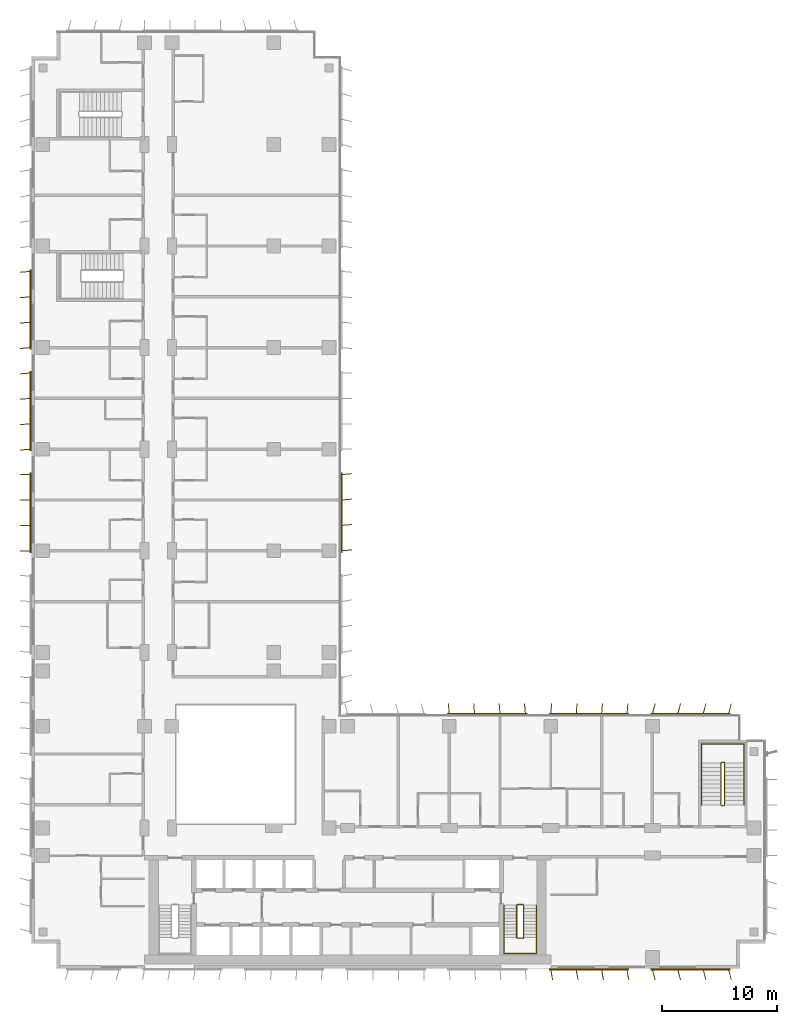
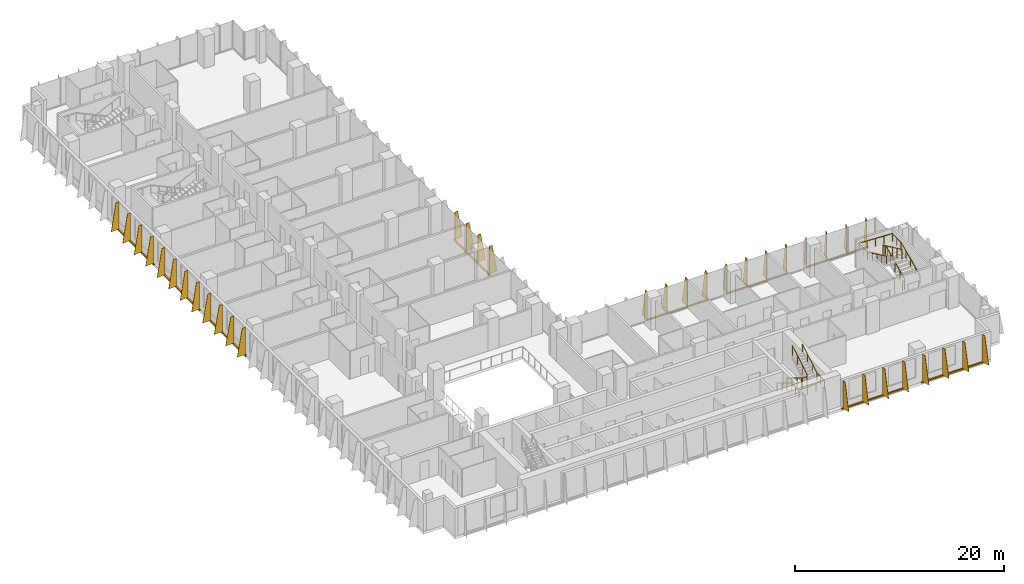
# One storey, part 20 of 22: 9 shading devices, 4 railings.
"""IFC4 building model written with IfcOpenShell, lengths in metres."""

from ifc_helpers import new_model, si_unit, direction, frame, origin, origin_2d, place, context, subcontext, project, spatial, polyline, rectangle, circle, outline, extrude, source, transform, mapped, material, layer, layer_set, type_object, element, save


model = new_model("IFC4")

# Units and contexts
model_context = context("Model", 3, precision=1e-05, world=origin(), true_north=direction((0.0, 1.0)))
body_context = subcontext(model_context, "Body", "Model", "MODEL_VIEW")
ifc_project = project(units=[si_unit("LENGTHUNIT", "METRE"), si_unit("AREAUNIT", "SQUARE_METRE"), si_unit("VOLUMEUNIT", "CUBIC_METRE"), si_unit("PLANEANGLEUNIT", "RADIAN"), si_unit("MASSUNIT", "GRAM", prefix="KILO")], contexts=[model_context])

# Site, building, storey
site_placement = place(None, origin())
site = spatial("IfcSite", under=ifc_project, at=site_placement, CompositionType="ELEMENT")
building_placement = place(site_placement, origin())
building = spatial("IfcBuilding", under=site, at=building_placement, Name="Kemantara Hotel Tower", CompositionType="ELEMENT")
storey_placement = place(building_placement, frame((0.0, 0.0, 129.60009765625)))
storey = spatial("IfcBuildingStorey", under=building, at=storey_placement, Name="L31", CompositionType="ELEMENT", Elevation=129.60009765625)

# Railings
ifc_material_1 = material(Name="Stainless steel balustrade", Category="steel")
railing_type_1 = type_object("IfcRailingType", Name="Stair guard 1100 mm", PredefinedType="GUARDRAIL", material=ifc_material_1)
railing_1_placement = place(storey_placement, frame((42.64990234375, 5.5, 3.699951171875)))
element("IfcRailing", 1, at=railing_1_placement, inside=storey, type_object=railing_type_1, Name="L31 ST2 stair guard 1", PredefinedType="GUARDRAIL", context=body_context, shape_type="SweptSolid", body=[
    extrude(circle(Radius=0.02392578125, at=origin_2d()), frame((0.0, 0.0, 1.076171875), z_axis=(0.0, -0.857242210791, -0.514913383045), x_axis=(1.0, 0.0, 0.0)), (0.0, 0.0, 1.0), 3.266357421875),
    extrude(circle(Radius=0.02392578125, at=origin_2d()), frame((0.0, -2.800048828125, -0.60595703125), z_axis=(-0.273006030465, -0.27434429532, -0.922064485248), x_axis=(0.708833529934, -0.705375805398, 0.0)), (0.0, 0.0, 1.0), 0.182373046875),
    extrude(circle(Radius=0.02392578125, at=origin_2d()), frame((-0.0498046875, -2.85009765625, -0.77392578125), z_axis=(-1.0, 0.0, 0.0), x_axis=(0.0, -1.0, 0.0)), (0.0, 0.0, 1.0), 0.5),
    extrude(circle(Radius=0.02392578125, at=origin_2d()), frame((-0.5498046875, -2.85009765625, -0.77392578125), z_axis=(-0.707106781187, 0.707106781187, 0.0), x_axis=(-0.707106781187, -0.707106781187, 0.0)), (0.0, 0.0, 1.0), 0.07080078125),
    extrude(circle(Radius=0.02392578125, at=origin_2d()), frame((-0.599853515625, -2.800048828125, -0.77392578125), z_axis=(0.0, 0.857242210791, -0.514913383045), x_axis=(-1.0, 0.0, 0.0)), (0.0, 0.0, 1.0), 3.266357421875),
    extrude(circle(Radius=0.02392578125, at=origin_2d()), frame((-0.599853515625, 0.0, -2.4560546875), z_axis=(0.274582412415, 0.274582412415, -0.921525364591), x_axis=(-0.707106781187, 0.707106781187, 0.0)), (0.0, 0.0, 1.0), 0.182373046875),
    extrude(circle(Radius=0.02392578125, at=origin_2d()), frame((-0.5498046875, 0.050048828125, -2.6240234375), z_axis=(1.0, 0.0, 0.0), x_axis=(0.0, 1.0, 0.0)), (0.0, 0.0, 1.0), 0.5),
    extrude(circle(Radius=0.02099609375, at=origin_2d()), origin(), (0.0, 0.0, 1.0), 1.052001953125),
    extrude(circle(Radius=0.02099609375, at=origin_2d()), frame((0.0, -0.933349609375, -0.560546875)), (0.0, 0.0, 1.0), 1.052001953125),
    extrude(circle(Radius=0.02099609375, at=origin_2d()), frame((0.0, -1.86669921875, -1.121337890625)), (0.0, 0.0, 1.0), 1.052001953125),
    extrude(circle(Radius=0.02099609375, at=origin_2d()), frame((0.0, -2.800048828125, -1.681884765625)), (0.0, 0.0, 1.0), 1.052001953125),
    extrude(circle(Radius=0.02099609375, at=origin_2d()), frame((-0.0498046875, -2.85009765625, -1.85009765625)), (0.0, 0.0, 1.0), 1.052001953125),
    extrude(circle(Radius=0.02099609375, at=origin_2d()), frame((-0.5498046875, -2.85009765625, -1.85009765625)), (0.0, 0.0, 1.0), 1.052001953125),
    extrude(circle(Radius=0.02099609375, at=origin_2d()), frame((-0.599853515625, -2.800048828125, -1.85009765625)), (0.0, 0.0, 1.0), 1.052001953125),
    extrude(circle(Radius=0.02099609375, at=origin_2d()), frame((-0.599853515625, -1.86669921875, -2.41064453125)), (0.0, 0.0, 1.0), 1.052001953125),
    extrude(circle(Radius=0.02099609375, at=origin_2d()), frame((-0.599853515625, -0.933349609375, -2.971435546875)), (0.0, 0.0, 1.0), 1.052001953125),
    extrude(circle(Radius=0.02099609375, at=origin_2d()), frame((-0.599853515625, 0.0, -3.531982421875)), (0.0, 0.0, 1.0), 1.052001953125),
    extrude(circle(Radius=0.02099609375, at=origin_2d()), frame((-0.5498046875, 0.050048828125, -3.699951171875)), (0.0, 0.0, 1.0), 1.052001953125),
    extrude(circle(Radius=0.02099609375, at=origin_2d()), frame((-0.0498046875, 0.050048828125, -3.699951171875)), (0.0, 0.0, 1.0), 1.052001953125),
])
railing_2_placement = place(storey_placement, frame((59.75, 14.199951171875, 3.699951171875)))
element("IfcRailing", 2, at=railing_2_placement, inside=storey, type_object=railing_type_1, Name="L31 ST3 stair guard 1", PredefinedType="GUARDRAIL", context=body_context, shape_type="SweptSolid", body=[
    extrude(circle(Radius=0.02392578125, at=origin_2d()), frame((0.0, 0.0, 1.076171875), z_axis=(0.0, 0.906005689286, -0.423265508849), x_axis=(-1.0, 0.0, 0.0)), (0.0, 0.0, 1.0), 3.9736328125),
    extrude(circle(Radius=0.02392578125, at=origin_2d()), frame((0.0, 3.60009765625, -0.60595703125), z_axis=(0.274243871929, 0.274243871929, -0.92172696468), x_axis=(-0.707106781187, 0.707106781187, 0.0)), (0.0, 0.0, 1.0), 0.1826171875),
    extrude(circle(Radius=0.02392578125, at=origin_2d()), frame((0.050048828125, 3.650146484375, -0.77392578125), z_axis=(1.0, 0.0, 0.0), x_axis=(0.0, 1.0, 0.0)), (0.0, 0.0, 1.0), 0.199951171875),
    extrude(circle(Radius=0.02392578125, at=origin_2d()), frame((0.25, 3.650146484375, -0.77392578125), z_axis=(0.707106781187, -0.707106781187, 0.0), x_axis=(0.707106781187, 0.707106781187, 0.0)), (0.0, 0.0, 1.0), 0.07080078125),
    extrude(circle(Radius=0.02392578125, at=origin_2d()), frame((0.300048828125, 3.60009765625, -0.77392578125), z_axis=(0.0, -0.906005689286, -0.423265508849), x_axis=(1.0, 0.0, 0.0)), (0.0, 0.0, 1.0), 3.9736328125),
    extrude(circle(Radius=0.02392578125, at=origin_2d()), frame((0.300048828125, 0.0, -2.4560546875), z_axis=(-0.274582412415, -0.274582412415, -0.921525364591), x_axis=(0.707106781187, -0.707106781187, 0.0)), (0.0, 0.0, 1.0), 0.182373046875),
    extrude(circle(Radius=0.02392578125, at=origin_2d()), frame((0.25, -0.050048828125, -2.6240234375), z_axis=(-1.0, 0.0, 0.0), x_axis=(0.0, -1.0, 0.0)), (0.0, 0.0, 1.0), 0.199951171875),
    extrude(circle(Radius=0.02099609375, at=origin_2d()), origin(), (0.0, 0.0, 1.0), 1.052001953125),
    extrude(circle(Radius=0.02099609375, at=origin_2d()), frame((0.0, 0.89990234375, -0.42041015625)), (0.0, 0.0, 1.0), 1.052001953125),
    extrude(circle(Radius=0.02099609375, at=origin_2d()), frame((0.0, 1.800048828125, -0.8408203125)), (0.0, 0.0, 1.0), 1.052001953125),
    extrude(circle(Radius=0.02099609375, at=origin_2d()), frame((0.0, 2.7001953125, -1.261474609375)), (0.0, 0.0, 1.0), 1.052001953125),
    extrude(circle(Radius=0.02099609375, at=origin_2d()), frame((0.0, 3.60009765625, -1.681884765625)), (0.0, 0.0, 1.0), 1.052001953125),
    extrude(circle(Radius=0.02099609375, at=origin_2d()), frame((0.050048828125, 3.650146484375, -1.85009765625)), (0.0, 0.0, 1.0), 1.052001953125),
    extrude(circle(Radius=0.02099609375, at=origin_2d()), frame((0.25, 3.650146484375, -1.85009765625)), (0.0, 0.0, 1.0), 1.052001953125),
    extrude(circle(Radius=0.02099609375, at=origin_2d()), frame((0.300048828125, 3.60009765625, -1.85009765625)), (0.0, 0.0, 1.0), 1.052001953125),
    extrude(circle(Radius=0.02099609375, at=origin_2d()), frame((0.300048828125, 2.7001953125, -2.2705078125)), (0.0, 0.0, 1.0), 1.052001953125),
    extrude(circle(Radius=0.02099609375, at=origin_2d()), frame((0.300048828125, 1.800048828125, -2.69091796875)), (0.0, 0.0, 1.0), 1.052001953125),
    extrude(circle(Radius=0.02099609375, at=origin_2d()), frame((0.300048828125, 0.89990234375, -3.111572265625)), (0.0, 0.0, 1.0), 1.052001953125),
    extrude(circle(Radius=0.02099609375, at=origin_2d()), frame((0.300048828125, 0.0, -3.531982421875)), (0.0, 0.0, 1.0), 1.052001953125),
    extrude(circle(Radius=0.02099609375, at=origin_2d()), frame((0.25, -0.050048828125, -3.699951171875)), (0.0, 0.0, 1.0), 1.052001953125),
    extrude(circle(Radius=0.02099609375, at=origin_2d()), frame((0.050048828125, -0.050048828125, -3.699951171875)), (0.0, 0.0, 1.0), 1.052001953125),
])
railing_type_2 = type_object("IfcRailingType", Name="Stair handrail 900 mm", PredefinedType="HANDRAIL", material=ifc_material_1)
railing_3_placement = place(storey_placement, frame((40.949951171875, 5.5, 0.16796875)))
element("IfcRailing", 3, at=railing_3_placement, inside=storey, type_object=railing_type_2, Name="L31 ST2 stair handrail 1", PredefinedType="HANDRAIL", context=body_context, shape_type="SweptSolid", body=[
    extrude(circle(Radius=0.02392578125, at=origin_2d()), frame((0.0, 0.0, 0.8759765625), z_axis=(0.0, -0.857242210791, 0.514913383045), x_axis=(1.0, 0.0, 0.0)), (0.0, 0.0, 1.0), 3.266357421875),
    extrude(circle(Radius=0.02392578125, at=origin_2d()), frame((0.0, -2.800048828125, 2.5576171875), z_axis=(0.0, -1.0, 0.0), x_axis=(1.0, 0.0, 0.0)), (0.0, 0.0, 1.0), 1.3798828125),
    extrude(circle(Radius=0.02392578125, at=origin_2d()), frame((0.0, -4.179931640625, 2.5576171875), z_axis=(0.998200367801, 0.0, 0.059966871865), x_axis=(0.0, 1.0, 0.0)), (0.0, 0.0, 1.0), 2.80517578125),
    extrude(circle(Radius=0.02392578125, at=origin_2d()), frame((2.800048828125, -4.179931640625, 2.72607421875), z_axis=(0.0, 1.0, 0.0), x_axis=(-1.0, 0.0, 0.0)), (0.0, 0.0, 1.0), 1.3798828125),
    extrude(circle(Radius=0.02392578125, at=origin_2d()), frame((2.800048828125, -2.800048828125, 2.72607421875), z_axis=(0.0, 0.857242210791, 0.514913383045), x_axis=(-1.0, 0.0, 0.0)), (0.0, 0.0, 1.0), 3.266357421875),
    extrude(circle(Radius=0.02099609375, at=origin_2d()), origin(), (0.0, 0.0, 1.0), 0.851806640625),
    extrude(circle(Radius=0.02099609375, at=origin_2d()), frame((0.0, -0.933349609375, 0.560546875)), (0.0, 0.0, 1.0), 0.851806640625),
    extrude(circle(Radius=0.02099609375, at=origin_2d()), frame((0.0, -1.86669921875, 1.121337890625)), (0.0, 0.0, 1.0), 0.851806640625),
    extrude(circle(Radius=0.02099609375, at=origin_2d()), frame((0.0, -2.800048828125, 1.681884765625)), (0.0, 0.0, 1.0), 0.851806640625),
    extrude(circle(Radius=0.02099609375, at=origin_2d()), frame((0.0, -3.489990234375, 1.681884765625)), (0.0, 0.0, 1.0), 0.851806640625),
    extrude(circle(Radius=0.02099609375, at=origin_2d()), frame((0.0, -4.179931640625, 1.681884765625)), (0.0, 0.0, 1.0), 0.851806640625),
    extrude(circle(Radius=0.02099609375, at=origin_2d()), frame((0.933349609375, -4.179931640625, 1.738037109375)), (0.0, 0.0, 1.0), 0.851806640625),
    extrude(circle(Radius=0.02099609375, at=origin_2d()), frame((1.86669921875, -4.179931640625, 1.7939453125)), (0.0, 0.0, 1.0), 0.851806640625),
    extrude(circle(Radius=0.02099609375, at=origin_2d()), frame((2.800048828125, -4.179931640625, 1.85009765625)), (0.0, 0.0, 1.0), 0.851806640625),
    extrude(circle(Radius=0.02099609375, at=origin_2d()), frame((2.800048828125, -3.489990234375, 1.85009765625)), (0.0, 0.0, 1.0), 0.851806640625),
    extrude(circle(Radius=0.02099609375, at=origin_2d()), frame((2.800048828125, -2.800048828125, 1.85009765625)), (0.0, 0.0, 1.0), 0.851806640625),
    extrude(circle(Radius=0.02099609375, at=origin_2d()), frame((2.800048828125, -1.86669921875, 2.41064453125)), (0.0, 0.0, 1.0), 0.851806640625),
    extrude(circle(Radius=0.02099609375, at=origin_2d()), frame((2.800048828125, -0.933349609375, 2.971435546875)), (0.0, 0.0, 1.0), 0.851806640625),
    extrude(circle(Radius=0.02099609375, at=origin_2d()), frame((2.800048828125, 0.0, 3.531982421875)), (0.0, 0.0, 1.0), 0.851806640625),
])
railing_4_placement = place(storey_placement, frame((61.75, 14.199951171875, 0.16796875)))
element("IfcRailing", 4, at=railing_4_placement, inside=storey, type_object=railing_type_2, Name="L31 ST3 stair handrail 1", PredefinedType="HANDRAIL", context=body_context, shape_type="SweptSolid", body=[
    extrude(circle(Radius=0.02392578125, at=origin_2d()), frame((0.0, 0.0, 0.8759765625), z_axis=(0.0, 0.906005689286, 0.423265508849), x_axis=(-1.0, 0.0, 0.0)), (0.0, 0.0, 1.0), 3.9736328125),
    extrude(circle(Radius=0.02392578125, at=origin_2d()), frame((0.0, 3.60009765625, 2.5576171875), z_axis=(0.0, 1.0, 0.0), x_axis=(-1.0, 0.0, 0.0)), (0.0, 0.0, 1.0), 1.679931640625),
    extrude(circle(Radius=0.02392578125, at=origin_2d()), frame((0.0, 5.280029296875, 2.5576171875), z_axis=(-0.998968132438, 0.0, 0.045416631029), x_axis=(0.0, -1.0, 0.0)), (0.0, 0.0, 1.0), 3.703857421875),
    extrude(circle(Radius=0.02392578125, at=origin_2d()), frame((-3.699951171875, 5.280029296875, 2.72607421875), z_axis=(0.0, -1.0, 0.0), x_axis=(1.0, 0.0, 0.0)), (0.0, 0.0, 1.0), 1.679931640625),
    extrude(circle(Radius=0.02392578125, at=origin_2d()), frame((-3.699951171875, 3.60009765625, 2.72607421875), z_axis=(0.0, -0.906005689286, 0.423265508849), x_axis=(1.0, 0.0, 0.0)), (0.0, 0.0, 1.0), 3.9736328125),
    extrude(circle(Radius=0.02099609375, at=origin_2d()), origin(), (0.0, 0.0, 1.0), 0.851806640625),
    extrude(circle(Radius=0.02099609375, at=origin_2d()), frame((0.0, 0.89990234375, 0.42041015625)), (0.0, 0.0, 1.0), 0.851806640625),
    extrude(circle(Radius=0.02099609375, at=origin_2d()), frame((0.0, 1.800048828125, 0.8408203125)), (0.0, 0.0, 1.0), 0.851806640625),
    extrude(circle(Radius=0.02099609375, at=origin_2d()), frame((0.0, 2.7001953125, 1.261474609375)), (0.0, 0.0, 1.0), 0.851806640625),
    extrude(circle(Radius=0.02099609375, at=origin_2d()), frame((0.0, 3.60009765625, 1.681884765625)), (0.0, 0.0, 1.0), 0.851806640625),
    extrude(circle(Radius=0.02099609375, at=origin_2d()), frame((0.0, 4.43994140625, 1.681884765625)), (0.0, 0.0, 1.0), 0.851806640625),
    extrude(circle(Radius=0.02099609375, at=origin_2d()), frame((0.0, 5.280029296875, 1.681884765625)), (0.0, 0.0, 1.0), 0.851806640625),
    extrude(circle(Radius=0.02099609375, at=origin_2d()), frame((-0.925048828125, 5.280029296875, 1.723876953125)), (0.0, 0.0, 1.0), 0.851806640625),
    extrude(circle(Radius=0.02099609375, at=origin_2d()), frame((-1.85009765625, 5.280029296875, 1.76611328125)), (0.0, 0.0, 1.0), 0.851806640625),
    extrude(circle(Radius=0.02099609375, at=origin_2d()), frame((-2.77490234375, 5.280029296875, 1.80810546875)), (0.0, 0.0, 1.0), 0.851806640625),
    extrude(circle(Radius=0.02099609375, at=origin_2d()), frame((-3.699951171875, 5.280029296875, 1.85009765625)), (0.0, 0.0, 1.0), 0.851806640625),
    extrude(circle(Radius=0.02099609375, at=origin_2d()), frame((-3.699951171875, 4.43994140625, 1.85009765625)), (0.0, 0.0, 1.0), 0.851806640625),
    extrude(circle(Radius=0.02099609375, at=origin_2d()), frame((-3.699951171875, 3.60009765625, 1.85009765625)), (0.0, 0.0, 1.0), 0.851806640625),
    extrude(circle(Radius=0.02099609375, at=origin_2d()), frame((-3.699951171875, 2.7001953125, 2.2705078125)), (0.0, 0.0, 1.0), 0.851806640625),
    extrude(circle(Radius=0.02099609375, at=origin_2d()), frame((-3.699951171875, 1.800048828125, 2.69091796875)), (0.0, 0.0, 1.0), 0.851806640625),
    extrude(circle(Radius=0.02099609375, at=origin_2d()), frame((-3.699951171875, 0.89990234375, 3.111572265625)), (0.0, 0.0, 1.0), 0.851806640625),
    extrude(circle(Radius=0.02099609375, at=origin_2d()), frame((-3.699951171875, 0.0, 3.531982421875)), (0.0, 0.0, 1.0), 0.851806640625),
])

# Shading devices
ifc_material_2 = material(Name="Perforated aluminium plate 4 mm bronze anodised", Category="aluminium")
ifc_layer_1 = layer(ifc_material_2, 0.0400390625)
ifc_layer_set_1 = layer_set([ifc_layer_1], Name="Perforated aluminium plate 4 mm bronze anodised")
shading_device_type_1 = type_object("IfcShadingDeviceType", Name="SCREEN FIN CASSETTE, 4 BLADES AT -5.0 DEG, 3200 HIGH", PredefinedType="USERDEFINED", material=ifc_layer_set_1)
shared_shape_1 = source(origin(), body_context, "Body", "SweptSolid", [
    extrude(rectangle(XDim=6.89990234375, YDim=0.14990234375, at=origin_2d()), frame((3.300048828125, -0.074951171875, -0.14990234375), z_axis=(0.0, 0.0, 1.0), x_axis=(1.0, 0.0, 0.0)), (0.0, 0.0, 1.0), 0.14990234375),
    extrude(outline(polyline([(0.0, 0.0), (0.89990234375, 0.0), (0.35009765625, 3.199951171875), (0.0, 3.199951171875), (0.0, 0.0)])), frame((0.02001953125, -0.07666015625, 0.0), z_axis=(-0.996376129781, 0.085056498884, 0.0), x_axis=(-0.085056498884, -0.996376129781, 0.0)), (0.0, 0.0, 1.0), 0.040283203125),
    extrude(outline(polyline([(0.0, 0.0), (0.89990234375, 0.0), (0.35009765625, 3.199951171875), (0.0, 3.199951171875), (0.0, 0.0)])), frame((2.219970703125, -0.07666015625, 0.0), z_axis=(-0.996331773833, 0.085574508182, 0.0), x_axis=(-0.085574508182, -0.996331773833, 0.0)), (0.0, 0.0, 1.0), 0.0400390625),
    extrude(outline(polyline([(0.0, 0.0), (0.89990234375, 0.0), (0.35009765625, 3.199951171875), (0.0, 3.199951171875), (0.0, 0.0)])), frame((4.419921875, -0.07666015625, 0.0), z_axis=(-0.996331773833, 0.085574508182, 0.0), x_axis=(-0.085574508182, -0.996331773833, 0.0)), (0.0, 0.0, 1.0), 0.0400390625),
    extrude(outline(polyline([(0.0, 0.0), (0.89990234375, 0.0), (0.35009765625, 3.199951171875), (0.0, 3.199951171875), (0.0, 0.0)])), frame((6.619873046875, -0.07666015625, 0.0), z_axis=(-0.996331773833, 0.085574508182, 0.0), x_axis=(-0.085574508182, -0.996331773833, 0.0)), (0.0, 0.0, 1.0), 0.0400390625),
])
shading_device_1_placement = place(storey_placement, frame((51.60009765625, 22.0, 0.099853515625), z_axis=(0.0, 0.0, 1.0), x_axis=(-1.0, 0.0, 0.0)))
element("IfcShadingDevice", 5, at=shading_device_1_placement, inside=storey, type_object=shading_device_type_1, Name="SCREEN FIN CASSETTE L31 T2-R13-2", ObjectType="SCREEN FIN", PredefinedType="USERDEFINED", context=body_context, shape_type="MappedRepresentation", body=[
    mapped(shared_shape_1, transform((0.0, 0.0, 0.0))),
])
ifc_layer_2 = layer(ifc_material_2, 0.0400390625)
ifc_layer_set_2 = layer_set([ifc_layer_2], Name="Perforated aluminium plate 4 mm bronze anodised")
shading_device_type_2 = type_object("IfcShadingDeviceType", Name="SCREEN FIN CASSETTE, 4 BLADES AT +0.0 DEG, 3200 HIGH", PredefinedType="USERDEFINED", material=ifc_layer_set_2)
shared_shape_2 = source(origin(), body_context, "Body", "SweptSolid", [
    extrude(rectangle(XDim=6.89990234375, YDim=0.14990234375, at=origin_2d()), frame((3.300048828125, -0.074951171875, -0.14990234375), z_axis=(0.0, 0.0, 1.0), x_axis=(1.0, 0.0, 0.0)), (0.0, 0.0, 1.0), 0.14990234375),
    extrude(outline(polyline([(0.0, 0.0), (0.89990234375, 0.0), (0.35009765625, 3.199951171875), (0.0, 3.199951171875), (0.0, 0.0)])), frame((0.02001953125, -0.074951171875, 0.0), z_axis=(-1.0, 0.0, 0.0), x_axis=(0.0, -1.0, 0.0)), (0.0, 0.0, 1.0), 0.0400390625),
    extrude(outline(polyline([(0.0, 0.0), (0.89990234375, 0.0), (0.35009765625, 3.199951171875), (0.0, 3.199951171875), (0.0, 0.0)])), frame((2.219970703125, -0.074951171875, 0.0), z_axis=(-1.0, 0.0, 0.0), x_axis=(0.0, -1.0, 0.0)), (0.0, 0.0, 1.0), 0.0400390625),
    extrude(outline(polyline([(0.0, 0.0), (0.89990234375, 0.0), (0.35009765625, 3.199951171875), (0.0, 3.199951171875), (0.0, 0.0)])), frame((4.419921875, -0.074951171875, 0.0), z_axis=(-1.0, 0.0, 0.0), x_axis=(0.0, -1.0, 0.0)), (0.0, 0.0, 1.0), 0.0400390625),
    extrude(outline(polyline([(0.0, 0.0), (0.89990234375, 0.0), (0.35009765625, 3.199951171875), (0.0, 3.199951171875), (0.0, 0.0)])), frame((6.6201171875, -0.074951171875, 0.0), z_axis=(-1.0, 0.0, 0.0), x_axis=(0.0, -1.0, 0.0)), (0.0, 0.0, 1.0), 0.0400390625),
])
shading_device_2_placement = place(storey_placement, frame((0.0, 42.800048828125, 0.099853515625), z_axis=(0.0, 0.0, 1.0), x_axis=(0.0, -1.0, 0.0)))
element("IfcShadingDevice", 6, at=shading_device_2_placement, inside=storey, type_object=shading_device_type_2, Name="SCREEN FIN CASSETTE L31 T2-R04-5", ObjectType="SCREEN FIN", PredefinedType="USERDEFINED", context=body_context, shape_type="MappedRepresentation", body=[
    mapped(shared_shape_2, transform((0.0, 0.0, 0.0))),
])
ifc_layer_3 = layer(ifc_material_2, 0.0400390625)
ifc_layer_set_3 = layer_set([ifc_layer_3], Name="Perforated aluminium plate 4 mm bronze anodised")
shading_device_type_3 = type_object("IfcShadingDeviceType", Name="SCREEN FIN CASSETTE, 4 BLADES AT +5.0 DEG, 3200 HIGH", PredefinedType="USERDEFINED", material=ifc_layer_set_3)
shared_shape_3 = source(origin(), body_context, "Body", "SweptSolid", [
    extrude(rectangle(XDim=6.89990234375, YDim=0.14990234375, at=origin_2d()), frame((3.300048828125, -0.074951171875, -0.14990234375), z_axis=(0.0, 0.0, 1.0), x_axis=(1.0, 0.0, 0.0)), (0.0, 0.0, 1.0), 0.14990234375),
    extrude(outline(polyline([(0.0, 0.0), (0.89990234375, 0.0), (0.35009765625, 3.199951171875), (0.0, 3.199951171875), (0.0, 0.0)])), frame((0.02001953125, -0.0732421875, 0.0), z_axis=(-0.996376129781, -0.085056498884, 0.0), x_axis=(0.085056498884, -0.996376129781, 0.0)), (0.0, 0.0, 1.0), 0.040283203125),
    extrude(outline(polyline([(0.0, 0.0), (0.89990234375, 0.0), (0.35009765625, 3.199951171875), (0.0, 3.199951171875), (0.0, 0.0)])), frame((2.219970703125, -0.0732421875, 0.0), z_axis=(-0.996331773833, -0.085574508182, 0.0), x_axis=(0.085574508182, -0.996331773833, 0.0)), (0.0, 0.0, 1.0), 0.0400390625),
    extrude(outline(polyline([(0.0, 0.0), (0.89990234375, 0.0), (0.35009765625, 3.199951171875), (0.0, 3.199951171875), (0.0, 0.0)])), frame((4.419921875, -0.0732421875, 0.0), z_axis=(-0.996331773833, -0.085574508182, 0.0), x_axis=(0.085574508182, -0.996331773833, 0.0)), (0.0, 0.0, 1.0), 0.0400390625),
    extrude(outline(polyline([(0.0, 0.0), (0.89990234375, 0.0), (0.35009765625, 3.199951171875), (0.0, 3.199951171875), (0.0, 0.0)])), frame((6.619873046875, -0.0732421875, 0.0), z_axis=(-0.996331773833, -0.085574508182, 0.0), x_axis=(0.085574508182, -0.996331773833, 0.0)), (0.0, 0.0, 1.0), 0.0400390625),
])
for number, where, z_axis, x_axis, name in (
    (7, (0.0, 60.39990234375, 0.099853515625), (0.0, 0.0, 1.0), (0.0, -1.0, 0.0), "SCREEN FIN CASSETTE L31 T2-R04-3"),
    (8, (0.0, 51.60009765625, 0.099853515625), (0.0, 0.0, 1.0), (0.0, -1.0, 0.0), "SCREEN FIN CASSETTE L31 T2-R04-4"),
    (9, (42.800048828125, 22.0, 0.099853515625), (0.0, 0.0, 1.0), (-1.0, 0.0, 0.0), "SCREEN FIN CASSETTE L31 T2-R13-3"),
    (10, (26.800048828125, 36.199951171875, 0.099853515625), (0.0, 0.0, 1.0), (0.0, 1.0, 0.0), "SCREEN FIN CASSETTE L31 T2-R14-3"),
):
    element("IfcShadingDevice", number, at=place(storey_placement, frame(where, z_axis=z_axis, x_axis=x_axis)), inside=storey, type_object=shading_device_type_3, Name=name, ObjectType="SCREEN FIN", PredefinedType="USERDEFINED", context=body_context, shape_type="MappedRepresentation", body=[
        mapped(shared_shape_3, transform((0.0, 0.0, 0.0))),
    ])
ifc_layer_4 = layer(ifc_material_2, 0.0400390625)
ifc_layer_set_4 = layer_set([ifc_layer_4], Name="Perforated aluminium plate 4 mm bronze anodised")
shading_device_type_4 = type_object("IfcShadingDeviceType", Name="SCREEN FIN CASSETTE, 4 BLADES AT +10.0 DEG, 3200 HIGH", PredefinedType="USERDEFINED", material=ifc_layer_set_4)
shared_shape_4 = source(origin(), body_context, "Body", "SweptSolid", [
    extrude(rectangle(XDim=6.89990234375, YDim=0.14990234375, at=origin_2d()), frame((3.300048828125, -0.074951171875, -0.14990234375), z_axis=(0.0, 0.0, 1.0), x_axis=(1.0, 0.0, 0.0)), (0.0, 0.0, 1.0), 0.14990234375),
    extrude(outline(polyline([(0.0, 0.0), (0.89990234375, 0.0), (0.35009765625, 3.199951171875), (0.0, 3.199951171875), (0.0, 0.0)])), frame((0.019775390625, -0.071533203125, 0.0), z_axis=(-0.985389793052, -0.170314285219, 0.0), x_axis=(0.170314285219, -0.985389793052, 0.0)), (0.0, 0.0, 1.0), 0.0400390625),
    extrude(outline(polyline([(0.0, 0.0), (0.89990234375, 0.0), (0.35009765625, 3.199951171875), (0.0, 3.199951171875), (0.0, 0.0)])), frame((2.2197265625, -0.071533203125, 0.0), z_axis=(-0.98521175482, -0.171341174751, 0.0), x_axis=(0.171341174751, -0.98521175482, 0.0)), (0.0, 0.0, 1.0), 0.039794921875),
    extrude(outline(polyline([(0.0, 0.0), (0.89990234375, 0.0), (0.35009765625, 3.199951171875), (0.0, 3.199951171875), (0.0, 0.0)])), frame((4.419677734375, -0.071533203125, 0.0), z_axis=(-0.98521175482, -0.171341174751, 0.0), x_axis=(0.171341174751, -0.98521175482, 0.0)), (0.0, 0.0, 1.0), 0.039794921875),
    extrude(outline(polyline([(0.0, 0.0), (0.89990234375, 0.0), (0.35009765625, 3.199951171875), (0.0, 3.199951171875), (0.0, 0.0)])), frame((6.61962890625, -0.071533203125, 0.0), z_axis=(-0.98521175482, -0.171341174751, 0.0), x_axis=(0.171341174751, -0.98521175482, 0.0)), (0.0, 0.0, 1.0), 0.039794921875),
])
shading_device_3_placement = place(storey_placement, frame((45.0, 0.0, 0.099853515625), z_axis=(0.0, 0.0, 1.0), x_axis=(1.0, 0.0, 0.0)))
element("IfcShadingDevice", 11, at=shading_device_3_placement, inside=storey, type_object=shading_device_type_4, Name="SCREEN FIN CASSETTE L31 T2-R07-6", ObjectType="SCREEN FIN", PredefinedType="USERDEFINED", context=body_context, shape_type="MappedRepresentation", body=[
    mapped(shared_shape_4, transform((0.0, 0.0, 0.0))),
])
ifc_layer_5 = layer(ifc_material_2, 0.0400390625)
ifc_layer_set_5 = layer_set([ifc_layer_5], Name="Perforated aluminium plate 4 mm bronze anodised")
shading_device_type_5 = type_object("IfcShadingDeviceType", Name="SCREEN FIN CASSETTE, 4 BLADES AT +15.0 DEG, 3200 HIGH", PredefinedType="USERDEFINED", material=ifc_layer_set_5)
shared_shape_5 = source(origin(), body_context, "Body", "SweptSolid", [
    extrude(rectangle(XDim=6.89990234375, YDim=0.14990234375, at=origin_2d()), frame((3.300048828125, -0.074951171875, -0.14990234375), z_axis=(0.0, 0.0, 1.0), x_axis=(1.0, 0.0, 0.0)), (0.0, 0.0, 1.0), 0.14990234375),
    extrude(outline(polyline([(0.0, 0.0), (0.89990234375, 0.0), (0.35009765625, 3.199951171875), (0.0, 3.199951171875), (0.0, 0.0)])), frame((0.019287109375, -0.06982421875, 0.0), z_axis=(-0.966437683387, -0.256901156343, 0.0), x_axis=(0.256901156343, -0.966437683387, 0.0)), (0.0, 0.0, 1.0), 0.039794921875),
    extrude(outline(polyline([(0.0, 0.0), (0.89990234375, 0.0), (0.35009765625, 3.199951171875), (0.0, 3.199951171875), (0.0, 0.0)])), frame((2.21923828125, -0.06982421875, 0.0), z_axis=(-0.966437683387, -0.256901156343, 0.0), x_axis=(0.256901156343, -0.966437683387, 0.0)), (0.0, 0.0, 1.0), 0.039794921875),
    extrude(outline(polyline([(0.0, 0.0), (0.89990234375, 0.0), (0.35009765625, 3.199951171875), (0.0, 3.199951171875), (0.0, 0.0)])), frame((4.41943359375, -0.06982421875, 0.0), z_axis=(-0.966837822169, -0.255391122837, 0.0), x_axis=(0.255391122837, -0.966837822169, 0.0)), (0.0, 0.0, 1.0), 0.0400390625),
    extrude(outline(polyline([(0.0, 0.0), (0.89990234375, 0.0), (0.35009765625, 3.199951171875), (0.0, 3.199951171875), (0.0, 0.0)])), frame((6.619384765625, -0.06982421875, 0.0), z_axis=(-0.966837822169, -0.255391122837, 0.0), x_axis=(0.255391122837, -0.966837822169, 0.0)), (0.0, 0.0, 1.0), 0.0400390625),
])
shading_device_4_placement = place(storey_placement, frame((53.800048828125, 0.0, 0.099853515625), z_axis=(0.0, 0.0, 1.0), x_axis=(1.0, 0.0, 0.0)))
element("IfcShadingDevice", 12, at=shading_device_4_placement, inside=storey, type_object=shading_device_type_5, Name="SCREEN FIN CASSETTE L31 T2-R07-7", ObjectType="SCREEN FIN", PredefinedType="USERDEFINED", context=body_context, shape_type="MappedRepresentation", body=[
    mapped(shared_shape_5, transform((0.0, 0.0, 0.0))),
])
ifc_layer_6 = layer(ifc_material_2, 0.0400390625)
ifc_layer_set_6 = layer_set([ifc_layer_6], Name="Perforated aluminium plate 4 mm bronze anodised")
shading_device_type_6 = type_object("IfcShadingDeviceType", Name="SCREEN FIN CASSETTE, 4 BLADES AT -15.0 DEG, 3200 HIGH", PredefinedType="USERDEFINED", material=ifc_layer_set_6)
shared_shape_6 = source(origin(), body_context, "Body", "SweptSolid", [
    extrude(rectangle(XDim=6.89990234375, YDim=0.14990234375, at=origin_2d()), frame((3.300048828125, -0.074951171875, -0.14990234375), z_axis=(0.0, 0.0, 1.0), x_axis=(1.0, 0.0, 0.0)), (0.0, 0.0, 1.0), 0.14990234375),
    extrude(outline(polyline([(0.0, 0.0), (0.89990234375, 0.0), (0.35009765625, 3.199951171875), (0.0, 3.199951171875), (0.0, 0.0)])), frame((0.019287109375, -0.080078125, 0.0), z_axis=(-0.966437683387, 0.256901156343, 0.0), x_axis=(-0.256901156343, -0.966437683387, 0.0)), (0.0, 0.0, 1.0), 0.039794921875),
    extrude(outline(polyline([(0.0, 0.0), (0.89990234375, 0.0), (0.35009765625, 3.199951171875), (0.0, 3.199951171875), (0.0, 0.0)])), frame((2.21923828125, -0.080078125, 0.0), z_axis=(-0.966437683387, 0.256901156343, 0.0), x_axis=(-0.256901156343, -0.966437683387, 0.0)), (0.0, 0.0, 1.0), 0.039794921875),
    extrude(outline(polyline([(0.0, 0.0), (0.89990234375, 0.0), (0.35009765625, 3.199951171875), (0.0, 3.199951171875), (0.0, 0.0)])), frame((4.41943359375, -0.080078125, 0.0), z_axis=(-0.966837822169, 0.255391122837, 0.0), x_axis=(-0.255391122837, -0.966837822169, 0.0)), (0.0, 0.0, 1.0), 0.0400390625),
    extrude(outline(polyline([(0.0, 0.0), (0.89990234375, 0.0), (0.35009765625, 3.199951171875), (0.0, 3.199951171875), (0.0, 0.0)])), frame((6.619384765625, -0.080078125, 0.0), z_axis=(-0.966837822169, 0.255391122837, 0.0), x_axis=(-0.255391122837, -0.966837822169, 0.0)), (0.0, 0.0, 1.0), 0.0400390625),
])
shading_device_5_placement = place(storey_placement, frame((60.39990234375, 22.0, 0.099853515625), z_axis=(0.0, 0.0, 1.0), x_axis=(-1.0, 0.0, 0.0)))
element("IfcShadingDevice", 13, at=shading_device_5_placement, inside=storey, type_object=shading_device_type_6, Name="SCREEN FIN CASSETTE L31 T2-R13-1", ObjectType="SCREEN FIN", PredefinedType="USERDEFINED", context=body_context, shape_type="MappedRepresentation", body=[
    mapped(shared_shape_6, transform((0.0, 0.0, 0.0))),
])

save(model, "model.ifc")
